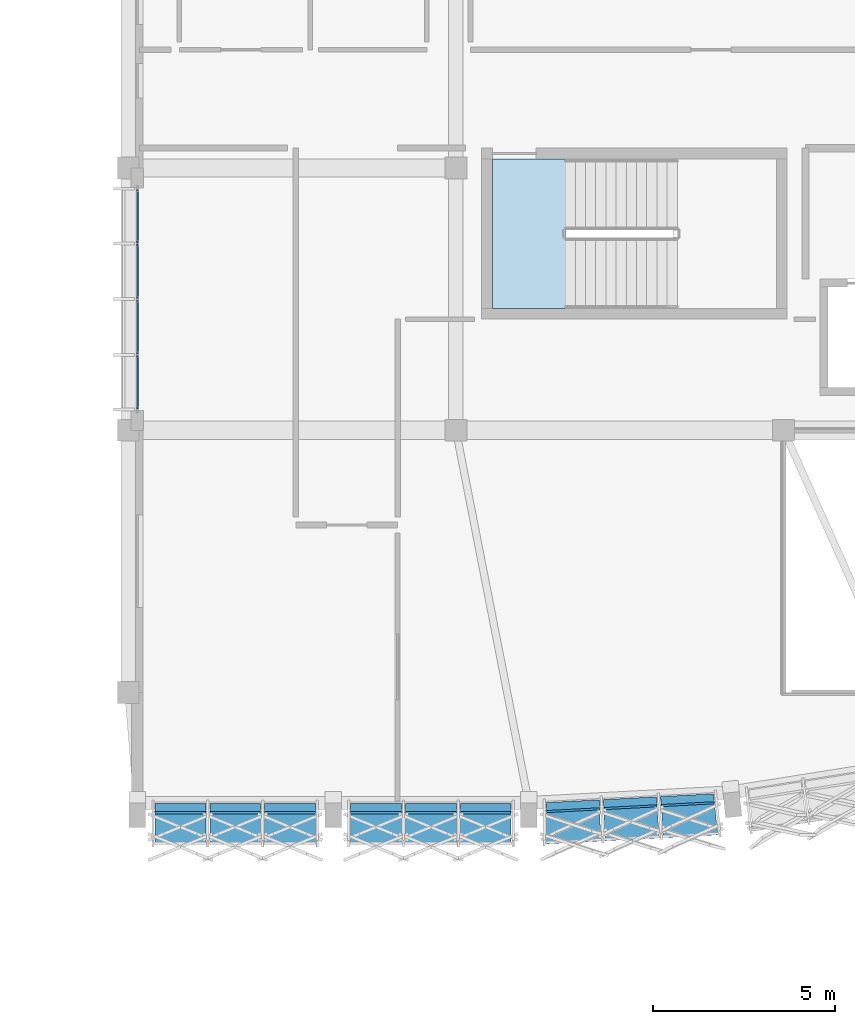
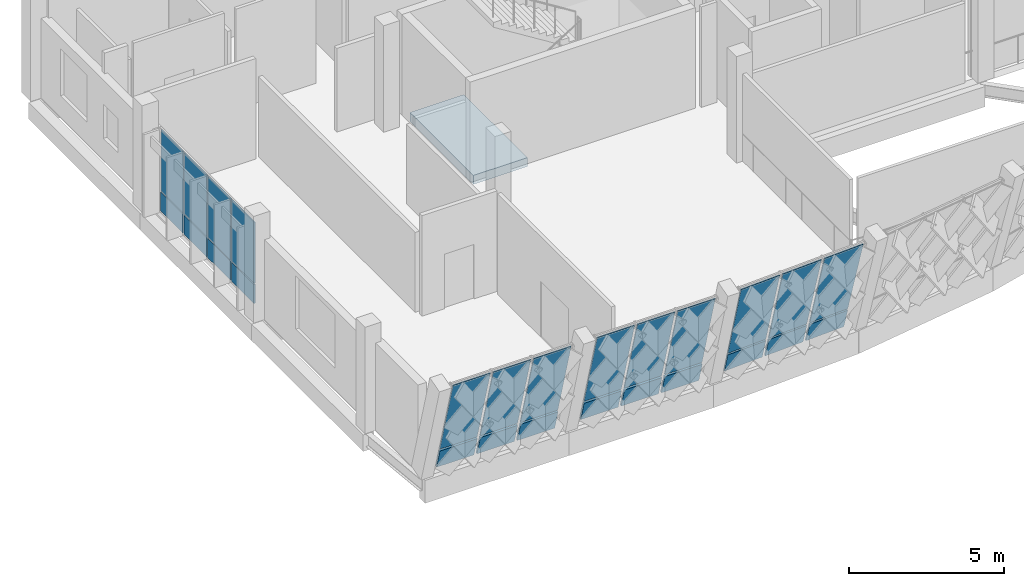
# One storey, part 79 of 107: 26 plates, 1 slab, 4 elements without a shape of their own.
"""IFC4 building model written with IfcOpenShell, lengths in metres."""

from ifc_helpers import new_model, si_unit, direction, frame, origin, origin_2d, place, context, subcontext, project, spatial, polyline, rectangle, outline, extrude, material, layer, layer_set, type_object, element, aggregate, save


model = new_model("IFC4")

# Units and contexts
model_context = context("Model", 3, precision=1e-05, world=origin(), true_north=direction((0.0, 1.0)))
body_context = subcontext(model_context, "Body", "Model", "MODEL_VIEW")
ifc_project = project(units=[si_unit("LENGTHUNIT", "METRE"), si_unit("AREAUNIT", "SQUARE_METRE"), si_unit("VOLUMEUNIT", "CUBIC_METRE"), si_unit("PLANEANGLEUNIT", "RADIAN"), si_unit("MASSUNIT", "GRAM", prefix="KILO")], contexts=[model_context])

# Site, building, storey
site_placement = place(None, origin())
site = spatial("IfcSite", under=ifc_project, at=site_placement, CompositionType="ELEMENT")
building_placement = place(site_placement, origin())
building = spatial("IfcBuilding", under=site, at=building_placement, Name="Chiffa Square Polytechnic", CompositionType="ELEMENT")
storey_placement = place(building_placement, frame((0.0, 0.0, 13.800048828125)))
storey = spatial("IfcBuildingStorey", under=building, at=storey_placement, Name="L03", CompositionType="ELEMENT", Elevation=13.800048828125)

# Curtain wall, plates
ifc_material_1 = material(Name="Aluminium EN AW-6060 T66 and glulam shading", Category="wood")
curtain_wall_type_1 = type_object("IfcCurtainWallType", Name="CW-VERT-540X440", PredefinedType="USERDEFINED", material=ifc_material_1)
curtain_wall_1_placement = place(storey_placement, origin())
curtain_wall_1 = element("IfcCurtainWall", 1, at=curtain_wall_1_placement, inside=storey, type_object=curtain_wall_type_1, Name="Curtain wall CW-V1-L03-135", ObjectType="CURTAIN WALL", PredefinedType="USERDEFINED")
ifc_material_2 = material(Name="Double glazing", Category="glass")
ifc_layer_1 = layer(ifc_material_2, 0.0458984375, Name="Double glazing")
ifc_layer_set_1 = layer_set([ifc_layer_1], Name="Double glazing")
plate_type_1 = type_object("IfcPlateType", Name="CWP-GLZ-128X106", PredefinedType="CURTAIN_PANEL", material=ifc_layer_set_1)
plate_1_placement = place(storey_placement, frame((112.449951171875, 20.283935546875, 0.84033203125), z_axis=(0.0, 0.0, 1.0), x_axis=(0.0, -1.0, 0.0)))
plate_1 = element("IfcPlate", 2, at=plate_1_placement, type_object=plate_type_1, Name="Glazed curtain panel CW-V1-L03-135-PN01", PredefinedType="CURTAIN_PANEL", context=body_context, shape_type="SweptSolid", body=[
    extrude(rectangle(XDim=1.4560546875, YDim=0.0458984375, at=origin_2d()), origin(), (0.0, 0.0, 1.0), 2.405029296875),
])
plate_2_placement = place(storey_placement, frame((112.449951171875, 18.764892578125, 0.84033203125), z_axis=(0.0, 0.0, 1.0), x_axis=(0.0, -1.0, 0.0)))
plate_2 = element("IfcPlate", 3, at=plate_2_placement, type_object=plate_type_1, Name="Glazed curtain panel CW-V1-L03-135-PN02", PredefinedType="CURTAIN_PANEL", context=body_context, shape_type="SweptSolid", body=[
    extrude(rectangle(XDim=1.47802734375, YDim=0.0458984375, at=origin_2d()), origin(), (0.0, 0.0, 1.0), 2.405029296875),
])
plate_3_placement = place(storey_placement, frame((112.449951171875, 17.235107421875, 0.84033203125), z_axis=(0.0, 0.0, 1.0), x_axis=(0.0, -1.0, 0.0)))
plate_3 = element("IfcPlate", 4, at=plate_3_placement, type_object=plate_type_1, Name="Glazed curtain panel CW-V1-L03-135-PN03", PredefinedType="CURTAIN_PANEL", context=body_context, shape_type="SweptSolid", body=[
    extrude(rectangle(XDim=1.47802734375, YDim=0.0458984375, at=origin_2d()), origin(), (0.0, 0.0, 1.0), 2.405029296875),
])
plate_4_placement = place(storey_placement, frame((112.449951171875, 15.716064453125, 0.84033203125), z_axis=(0.0, 0.0, 1.0), x_axis=(0.0, -1.0, 0.0)))
plate_4 = element("IfcPlate", 5, at=plate_4_placement, type_object=plate_type_1, Name="Glazed curtain panel CW-V1-L03-135-PN04", PredefinedType="CURTAIN_PANEL", context=body_context, shape_type="SweptSolid", body=[
    extrude(rectangle(XDim=1.4560546875, YDim=0.0458984375, at=origin_2d()), origin(), (0.0, 0.0, 1.0), 2.405029296875),
])

curtain_wall_type_2 = type_object("IfcCurtainWallType", Name="CW-PROW-LEAN-150", PredefinedType="USERDEFINED", material=ifc_material_1)
curtain_wall_2_placement = place(storey_placement, origin())
curtain_wall_2 = element("IfcCurtainWall", 6, at=curtain_wall_2_placement, inside=storey, type_object=curtain_wall_type_2, Name="Outward-leaning diamond-fin prow curtain wall CW-V1-L03-046", ObjectType="CURTAIN WALL", PredefinedType="USERDEFINED")
ifc_layer_2 = layer(ifc_material_2, 0.0419921875, Name="Double glazing")
ifc_layer_set_2 = layer_set([ifc_layer_2], Name="Double glazing")
plate_type_2 = type_object("IfcPlateType", Name="CWP-GLZ-138X126", PredefinedType="CURTAIN_PANEL", material=ifc_layer_set_2)
plate_5_placement = place(storey_placement, frame((123.685791015625, 3.9384765625, 0.8779296875), z_axis=(-0.050455632682, 0.960961293939, 0.272043416907), x_axis=(0.998624117678, 0.052439213666, -2.1478003e-05)))
plate_5 = element("IfcPlate", 7, at=plate_5_placement, type_object=plate_type_2, Name="Leaning prow curtain panel CW-V1-L03-046-PN01", PredefinedType="CURTAIN_PANEL", context=body_context, shape_type="SweptSolid", body=[
    extrude(outline(polyline([(0.0, 0.0), (1.4644230510737009, -3.469446951953614e-18), (1.448113037468303, -3.156175714116382), (-0.04416776396761878, -3.156109721092543), (0.0, 0.0)])), origin(), (0.0, 0.0, -1.0), 0.0419921875),
])
plate_6_placement = place(storey_placement, frame((125.26171875, 4.021240234375, 0.8779296875), z_axis=(-0.050376437196, 0.960966295663, 0.272040425628), x_axis=(0.998628764151, 0.052350658161, 5.18933e-07)))
plate_6 = element("IfcPlate", 8, at=plate_6_placement, type_object=plate_type_2, Name="Leaning prow curtain panel CW-V1-L03-046-PN02", PredefinedType="CURTAIN_PANEL", context=body_context, shape_type="SweptSolid", body=[
    extrude(outline(polyline([(0.0, 0.0), (1.464410254865065, -3.469446951953614e-18), (1.4783207842110213, -3.1561398209438085), (-0.013960023159459876, -3.15614141540253), (0.0, 0.0)])), origin(), (0.0, 0.0, -1.0), 0.0419921875),
])
plate_7_placement = place(storey_placement, frame((126.837646484375, 4.10400390625, 0.8779296875), z_axis=(-0.050530280394, 0.960949278883, 0.272072001825), x_axis=(0.998620355844, 0.052510807395, 1.264698e-06)))
plate_7 = element("IfcPlate", 9, at=plate_7_placement, type_object=plate_type_2, Name="Leaning prow curtain panel CW-V1-L03-046-PN03", PredefinedType="CURTAIN_PANEL", context=body_context, shape_type="SweptSolid", body=[
    extrude(outline(polyline([(0.0, 0.0), (1.464666859420951, 0.0), (1.5082629443106828, -3.1561679159966847), (0.015969335608800712, -3.1561718022599505), (0.0, 0.0)])), origin(), (0.0, 0.0, -1.0), 0.0419921875),
])

curtain_wall_type_3 = type_object("IfcCurtainWallType", Name="CW-PROW-LEAN-300", PredefinedType="USERDEFINED", material=ifc_material_1)
curtain_wall_3_placement = place(storey_placement, origin())
curtain_wall_3 = element("IfcCurtainWall", 10, at=curtain_wall_3_placement, inside=storey, type_object=curtain_wall_type_3, Name="Outward-leaning diamond-fin prow curtain wall CW-V1-L03-045", ObjectType="CURTAIN WALL", PredefinedType="USERDEFINED")
ifc_layer_3 = layer(ifc_material_2, 0.0400390625, Name="Double glazing")
ifc_layer_set_3 = layer_set([ifc_layer_3], Name="Double glazing")
plate_type_3 = type_object("IfcPlateType", Name="CWP-GLZ-140X130", PredefinedType="CURTAIN_PANEL", material=ifc_layer_set_3)
plate_8_placement = place(storey_placement, frame((118.30908203125, 3.91357421875, 0.8779296875), z_axis=(0.0, 0.962180803635, 0.2724116391), x_axis=(1.0, 0.0, 0.0)))
plate_8 = element("IfcPlate", 11, at=plate_8_placement, type_object=plate_type_3, Name="Leaning prow curtain panel CW-V1-L03-045-PN01", PredefinedType="CURTAIN_PANEL", context=body_context, shape_type="SweptSolid", body=[
    extrude(outline(polyline([(0.0, 0.0), (1.396728515625, 0.0), (1.396728515625, -3.1564851050107787), (0.0, -3.1564851050107787), (0.0, 0.0)])), origin(), (0.0, 0.0, -1.0), 0.0400390625),
])
plate_9_placement = place(storey_placement, frame((119.814208984375, 3.91357421875, 0.8779296875), z_axis=(0.0, 0.962180803635, 0.2724116391), x_axis=(1.0, 0.0, 0.0)))
plate_9 = element("IfcPlate", 12, at=plate_9_placement, type_object=plate_type_3, Name="Leaning prow curtain panel CW-V1-L03-045-PN02", PredefinedType="CURTAIN_PANEL", context=body_context, shape_type="SweptSolid", body=[
    extrude(outline(polyline([(0.0, 0.0), (1.396484375, 0.0), (1.396484375, -3.1564851050107783), (0.0, -3.1564851050107783), (0.0, 0.0)])), origin(), (0.0, 0.0, -1.0), 0.0400390625),
])
plate_10_placement = place(storey_placement, frame((121.319091796875, 3.91357421875, 0.8779296875), z_axis=(0.0, 0.962180803635, 0.2724116391), x_axis=(1.0, 0.0, 0.0)))
plate_10 = element("IfcPlate", 13, at=plate_10_placement, type_object=plate_type_3, Name="Leaning prow curtain panel CW-V1-L03-045-PN03", PredefinedType="CURTAIN_PANEL", context=body_context, shape_type="SweptSolid", body=[
    extrude(outline(polyline([(0.0, 0.0), (1.396728515625, 0.0), (1.396728515625, -3.1564851050107787), (0.0, -3.1564851050107787), (0.0, 0.0)])), origin(), (0.0, 0.0, -1.0), 0.0400390625),
])

curtain_wall_4_placement = place(storey_placement, origin())
curtain_wall_4 = element("IfcCurtainWall", 14, at=curtain_wall_4_placement, inside=storey, type_object=curtain_wall_type_2, Name="Outward-leaning diamond-fin prow curtain wall CW-V1-L03-044", ObjectType="CURTAIN WALL", PredefinedType="USERDEFINED")
ifc_layer_4 = layer(ifc_material_2, 0.0400390625, Name="Double glazing")
ifc_layer_set_4 = layer_set([ifc_layer_4], Name="Double glazing")
plate_type_4 = type_object("IfcPlateType", Name="CWP-GLZ-144X134", PredefinedType="CURTAIN_PANEL", material=ifc_layer_set_4)
plate_11_placement = place(storey_placement, frame((112.93408203125, 3.91357421875, 0.8779296875), z_axis=(0.0, 0.962180803635, 0.2724116391), x_axis=(1.0, 0.0, 0.0)))
plate_11 = element("IfcPlate", 15, at=plate_11_placement, type_object=plate_type_4, Name="Leaning prow curtain panel CW-V1-L03-044-PN01", PredefinedType="CURTAIN_PANEL", context=body_context, shape_type="SweptSolid", body=[
    extrude(outline(polyline([(0.0, 0.0), (1.396728515625, 0.0), (1.396728515625, -3.1564851050107787), (0.0, -3.1564851050107787), (0.0, 0.0)])), origin(), (0.0, 0.0, -1.0), 0.0400390625),
])
plate_12_placement = place(storey_placement, frame((114.439208984375, 3.91357421875, 0.8779296875), z_axis=(0.0, 0.962180803635, 0.2724116391), x_axis=(1.0, 0.0, 0.0)))
plate_12 = element("IfcPlate", 16, at=plate_12_placement, type_object=plate_type_4, Name="Leaning prow curtain panel CW-V1-L03-044-PN02", PredefinedType="CURTAIN_PANEL", context=body_context, shape_type="SweptSolid", body=[
    extrude(outline(polyline([(0.0, 0.0), (1.396484375, 0.0), (1.396484375, -3.1564851050107783), (0.0, -3.1564851050107783), (0.0, 0.0)])), origin(), (0.0, 0.0, -1.0), 0.0400390625),
])
plate_13_placement = place(storey_placement, frame((115.944091796875, 3.91357421875, 0.8779296875), z_axis=(0.0, 0.962180803635, 0.2724116391), x_axis=(1.0, 0.0, 0.0)))
plate_13 = element("IfcPlate", 17, at=plate_13_placement, type_object=plate_type_4, Name="Leaning prow curtain panel CW-V1-L03-044-PN03", PredefinedType="CURTAIN_PANEL", context=body_context, shape_type="SweptSolid", body=[
    extrude(outline(polyline([(0.0, 0.0), (1.396728515625, 0.0), (1.396728515625, -3.1564851050107787), (0.0, -3.1564851050107787), (0.0, 0.0)])), origin(), (0.0, 0.0, -1.0), 0.0400390625),
])

# Plate
ifc_material_3 = material(Name="Aluminium insulated spandrel", Category="aluminium")
ifc_layer_5 = layer(ifc_material_3, 0.072021484375, Name="Aluminium insulated spandrel")
ifc_layer_set_5 = layer_set([ifc_layer_5], Name="Aluminium insulated spandrel")
plate_type_5 = type_object("IfcPlateType", Name="CWP-SPN-136X072", PredefinedType="SHEET", material=ifc_layer_set_5)
plate_14_placement = place(storey_placement, frame((118.30908203125, 4.147705078125, 0.050048828125), z_axis=(0.0, 0.962198523194, 0.272349044358), x_axis=(1.0, 0.0, 0.0)))
plate_14 = element("IfcPlate", 18, at=plate_14_placement, type_object=plate_type_5, Name="Leaning prow curtain panel CW-V1-L03-045-SP01", PredefinedType="SHEET", context=body_context, shape_type="SweptSolid", body=[
    extrude(outline(polyline([(0.0, 0.0), (1.396728515625, 0.0), (1.396728515625, -0.8023008117775327), (0.0, -0.8023008117775327), (0.0, 0.0)])), origin(), (0.0, 0.0, -1.0), 0.072021484375),
])

plate_15_placement = place(storey_placement, frame((119.814208984375, 4.147705078125, 0.050048828125), z_axis=(0.0, 0.962198523194, 0.272349044358), x_axis=(1.0, 0.0, 0.0)))
plate_15 = element("IfcPlate", 19, at=plate_15_placement, type_object=plate_type_5, Name="Leaning prow curtain panel CW-V1-L03-045-SP02", PredefinedType="SHEET", context=body_context, shape_type="SweptSolid", body=[
    extrude(outline(polyline([(0.0, 0.0), (1.396484375, 0.0), (1.396484375, -0.8023008117775327), (0.0, -0.8023008117775327), (0.0, 0.0)])), origin(), (0.0, 0.0, -1.0), 0.072021484375),
])

plate_16_placement = place(storey_placement, frame((121.319091796875, 4.147705078125, 0.050048828125), z_axis=(0.0, 0.962198523194, 0.272349044358), x_axis=(1.0, 0.0, 0.0)))
plate_16 = element("IfcPlate", 20, at=plate_16_placement, type_object=plate_type_5, Name="Leaning prow curtain panel CW-V1-L03-045-SP03", PredefinedType="SHEET", context=body_context, shape_type="SweptSolid", body=[
    extrude(outline(polyline([(0.0, 0.0), (1.396728515625, 0.0), (1.396728515625, -0.8023008117775327), (0.0, -0.8023008117775327), (0.0, 0.0)])), origin(), (0.0, 0.0, -1.0), 0.072021484375),
])

aggregate(curtain_wall_3, [plate_14, plate_8, plate_15, plate_9, plate_16, plate_10])

ifc_layer_6 = layer(ifc_material_3, 0.070068359375, Name="Aluminium insulated spandrel")
ifc_layer_set_6 = layer_set([ifc_layer_6], Name="Aluminium insulated spandrel")
plate_type_6 = type_object("IfcPlateType", Name="CWP-SPN-138X074", PredefinedType="SHEET", material=ifc_layer_set_6)
plate_17_placement = place(storey_placement, frame((112.93408203125, 4.147705078125, 0.050048828125), z_axis=(0.0, 0.962198523194, 0.272349044358), x_axis=(1.0, 0.0, 0.0)))
plate_17 = element("IfcPlate", 21, at=plate_17_placement, type_object=plate_type_6, Name="Leaning prow curtain panel CW-V1-L03-044-SP01", PredefinedType="SHEET", context=body_context, shape_type="SweptSolid", body=[
    extrude(outline(polyline([(0.0, 0.0), (1.396728515625, 0.0), (1.396728515625, -0.8023008117775327), (0.0, -0.8023008117775327), (0.0, 0.0)])), origin(), (0.0, 0.0, -1.0), 0.070068359375),
])

plate_18_placement = place(storey_placement, frame((114.439208984375, 4.147705078125, 0.050048828125), z_axis=(0.0, 0.962198523194, 0.272349044358), x_axis=(1.0, 0.0, 0.0)))
plate_18 = element("IfcPlate", 22, at=plate_18_placement, type_object=plate_type_6, Name="Leaning prow curtain panel CW-V1-L03-044-SP02", PredefinedType="SHEET", context=body_context, shape_type="SweptSolid", body=[
    extrude(outline(polyline([(0.0, 0.0), (1.396484375, 0.0), (1.396484375, -0.8023008117775327), (0.0, -0.8023008117775327), (0.0, 0.0)])), origin(), (0.0, 0.0, -1.0), 0.070068359375),
])

plate_19_placement = place(storey_placement, frame((115.944091796875, 4.147705078125, 0.050048828125), z_axis=(0.0, 0.962198523194, 0.272349044358), x_axis=(1.0, 0.0, 0.0)))
plate_19 = element("IfcPlate", 23, at=plate_19_placement, type_object=plate_type_6, Name="Leaning prow curtain panel CW-V1-L03-044-SP03", PredefinedType="SHEET", context=body_context, shape_type="SweptSolid", body=[
    extrude(outline(polyline([(0.0, 0.0), (1.396728515625, 0.0), (1.396728515625, -0.8023008117775327), (0.0, -0.8023008117775327), (0.0, 0.0)])), origin(), (0.0, 0.0, -1.0), 0.070068359375),
])

aggregate(curtain_wall_4, [plate_17, plate_11, plate_18, plate_12, plate_19, plate_13])

ifc_layer_7 = layer(ifc_material_3, 0.06005859375, Name="Aluminium insulated spandrel")
ifc_layer_set_7 = layer_set([ifc_layer_7], Name="Aluminium insulated spandrel")
plate_type_7 = type_object("IfcPlateType", Name="CWP-SPN-150X080", PredefinedType="SHEET", material=ifc_layer_set_7)
plate_20_placement = place(storey_placement, frame((112.449951171875, 20.283935546875, 0.050048828125), z_axis=(0.0, 0.0, 1.0), x_axis=(0.0, -1.0, 0.0)))
plate_20 = element("IfcPlate", 24, at=plate_20_placement, type_object=plate_type_7, Name="Spandrel panel CW-V1-L03-135-SP01", PredefinedType="SHEET", context=body_context, shape_type="SweptSolid", body=[
    extrude(rectangle(XDim=1.4560546875, YDim=0.06005859375, at=origin_2d()), origin(), (0.0, 0.0, 1.0), 0.75),
])

plate_21_placement = place(storey_placement, frame((112.449951171875, 18.764892578125, 0.050048828125), z_axis=(0.0, 0.0, 1.0), x_axis=(0.0, -1.0, 0.0)))
plate_21 = element("IfcPlate", 25, at=plate_21_placement, type_object=plate_type_7, Name="Spandrel panel CW-V1-L03-135-SP02", PredefinedType="SHEET", context=body_context, shape_type="SweptSolid", body=[
    extrude(rectangle(XDim=1.47802734375, YDim=0.06005859375, at=origin_2d()), origin(), (0.0, 0.0, 1.0), 0.75),
])

plate_22_placement = place(storey_placement, frame((112.449951171875, 17.235107421875, 0.050048828125), z_axis=(0.0, 0.0, 1.0), x_axis=(0.0, -1.0, 0.0)))
plate_22 = element("IfcPlate", 26, at=plate_22_placement, type_object=plate_type_7, Name="Spandrel panel CW-V1-L03-135-SP03", PredefinedType="SHEET", context=body_context, shape_type="SweptSolid", body=[
    extrude(rectangle(XDim=1.47802734375, YDim=0.06005859375, at=origin_2d()), origin(), (0.0, 0.0, 1.0), 0.75),
])

plate_23_placement = place(storey_placement, frame((112.449951171875, 15.716064453125, 0.050048828125), z_axis=(0.0, 0.0, 1.0), x_axis=(0.0, -1.0, 0.0)))
plate_23 = element("IfcPlate", 27, at=plate_23_placement, type_object=plate_type_7, Name="Spandrel panel CW-V1-L03-135-SP04", PredefinedType="SHEET", context=body_context, shape_type="SweptSolid", body=[
    extrude(rectangle(XDim=1.4560546875, YDim=0.06005859375, at=origin_2d()), origin(), (0.0, 0.0, 1.0), 0.75),
])

aggregate(curtain_wall_1, [plate_20, plate_1, plate_21, plate_2, plate_22, plate_3, plate_23, plate_4])

ifc_layer_8 = layer(ifc_material_3, 0.06005859375, Name="Aluminium insulated spandrel")
ifc_layer_set_8 = layer_set([ifc_layer_8], Name="Aluminium insulated spandrel")
plate_type_8 = type_object("IfcPlateType", Name="CWP-SPN-150X095", PredefinedType="SHEET", material=ifc_layer_set_8)
plate_24_placement = place(storey_placement, frame((123.685302734375, 4.1728515625, 0.050048828125), z_axis=(-0.050428015891, 0.960947262943, 0.272098094547), x_axis=(0.99862574615, 0.052408196121, -1.0281667e-05)))
plate_24 = element("IfcPlate", 28, at=plate_24_placement, type_object=plate_type_8, Name="Leaning prow curtain panel CW-V1-L03-046-SP01", PredefinedType="SHEET", context=body_context, shape_type="SweptSolid", body=[
    extrude(outline(polyline([(0.0, 0.0), (1.4570833038183182, 3.469446951953614e-18), (1.4529508171050947, -0.8022571430481856), (-0.01097182486955162, -0.8022259326555632), (0.0, 0.0)])), origin(), (0.0, 0.0, -1.0), 0.06005859375),
])

plate_25_placement = place(storey_placement, frame((125.25341796875, 4.255126953125, 0.050048828125), z_axis=(-0.050429790636, 0.960981082161, 0.271978300505), x_axis=(0.998625712186, 0.052408842795, -1.257775e-05)))
plate_25 = element("IfcPlate", 29, at=plate_25_placement, type_object=plate_type_8, Name="Leaning prow curtain panel CW-V1-L03-046-SP02", PredefinedType="SHEET", context=body_context, shape_type="SweptSolid", body=[
    extrude(outline(polyline([(0.0, 0.0), (1.456839498708568, -3.469446951953614e-18), (1.4602886466153624, -0.802232472417545), (-0.003877800386264771, -0.8021942935211882), (0.0, 0.0)])), origin(), (0.0, 0.0, -1.0), 0.06005859375),
])

plate_26_placement = place(storey_placement, frame((126.821044921875, 4.33740234375, 0.050048828125), z_axis=(-0.050513345876, 0.960960100612, 0.272036921979), x_axis=(0.99862079463, 0.052502451548, -3.3390776e-05)))
plate_26 = element("IfcPlate", 30, at=plate_26_placement, type_object=plate_type_8, Name="Leaning prow curtain panel CW-V1-L03-046-SP03", PredefinedType="SHEET", context=body_context, shape_type="SweptSolid", body=[
    extrude(outline(polyline([(0.0, 0.0), (1.4568523156697797, 0.0), (1.4680794806933959, -0.8022781415185725), (0.004156851780389617, -0.8021767923772014), (0.0, 0.0)])), origin(), (0.0, 0.0, -1.0), 0.06005859375),
])

aggregate(curtain_wall_2, [plate_24, plate_5, plate_25, plate_6, plate_26, plate_7])

# Slab
ifc_material_4 = material(Name="Concrete C40/50", Category="concrete")
ifc_layer_9 = layer(ifc_material_4, 0.35009765625, Name="Concrete C40/50")
ifc_layer_set_9 = layer_set([ifc_layer_9], Name="Concrete C40/50")
slab_type = type_object("IfcSlabType", Name="SLB-FLR-350", PredefinedType="FLOOR", material=ifc_layer_set_9)
slab_placement = place(storey_placement, frame((0.0, 0.0, -0.35009765625)))
element("IfcSlab", 31, at=slab_placement, inside=storey, type_object=slab_type, Name="Stair core floor landing slab SLB-CORE-CORE-V1A-L03", PredefinedType="FLOOR", context=body_context, shape_type="SweptSolid", body=[
    extrude(outline(polyline([(122.199951171875, 17.75), (124.2119140625, 17.75), (124.2119140625, 21.85009765625), (122.199951171875, 21.85009765625), (122.199951171875, 17.75)])), origin(), (0.0, 0.0, 1.0), 0.35009765625),
])

save(model, "model.ifc")
